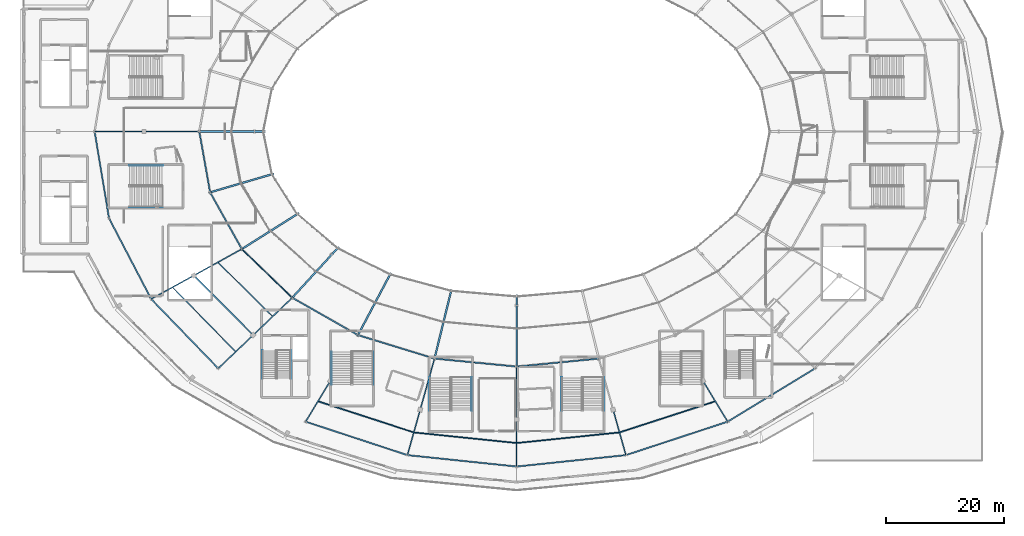
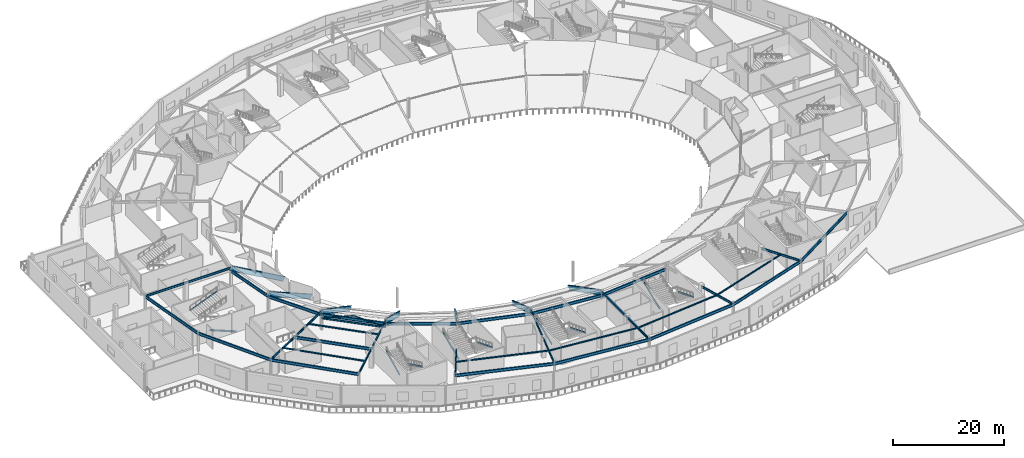
# One storey, part 13 of 63: 43 beams, 12 members.
"""IFC4 building model written with IfcOpenShell, lengths in metres."""

from ifc_helpers import new_model, si_unit, direction, frame, origin, origin_2d, place, context, subcontext, project, spatial, hollow_circle, i_section, extrude, material, material_profile, profile_set, type_object, element, save


model = new_model("IFC4")

# Units and contexts
model_context = context("Model", 3, precision=1e-05, world=origin(), true_north=direction((0.0, 1.0)))
body_context = subcontext(model_context, "Body", "Model", "MODEL_VIEW")
ifc_project = project(units=[si_unit("LENGTHUNIT", "METRE"), si_unit("AREAUNIT", "SQUARE_METRE"), si_unit("VOLUMEUNIT", "CUBIC_METRE"), si_unit("PLANEANGLEUNIT", "RADIAN"), si_unit("MASSUNIT", "GRAM", prefix="KILO")], contexts=[model_context])

# Site, building, storey
site_placement = place(None, origin())
site = spatial("IfcSite", under=ifc_project, at=site_placement, CompositionType="ELEMENT")
building_placement = place(site_placement, origin())
building = spatial("IfcBuilding", under=site, at=building_placement, Name="Kalgoora Escarpment Arena", CompositionType="ELEMENT")
storey_placement = place(building_placement, frame((0.0, 0.0, 14.39990234375)))
storey = spatial("IfcBuildingStorey", under=building, at=storey_placement, Name="L03", CompositionType="ELEMENT", Elevation=14.39990234375)

# Beams
ifc_material_1 = material(Name="Structural steel AS/NZS 3679 (300 MPa)", Category="steel")
ifc_material_profile_1 = material_profile(ifc_material_1, i_section(OverallWidth=0.1650390625, OverallDepth=0.303955078125, WebThickness=0.006103515625, FlangeThickness=0.01025390625, at=origin_2d()))
ifc_profile_set_1 = profile_set([ifc_material_profile_1], Name="Structural steel AS/NZS 3679 (300 MPa)")
beam_type_1 = type_object("IfcBeamType", Name="BM-BEAM-310UB40.4", PredefinedType="BEAM", material=ifc_profile_set_1)
beam_1_placement = place(storey_placement, frame((41.564208984375, 41.75, 4.048095703125), z_axis=(0.711375847759, -0.702811783641, 0.0), x_axis=(0.702811783641, 0.711375847759, 0.0)))
element("IfcBeam", 1, at=beam_1_placement, inside=storey, type_object=beam_type_1, Name="L03 Concourse secondary ring beam 310UB40.4", PredefinedType="BEAM", context=body_context, shape_type="SweptSolid", body=[
    extrude(i_section(OverallWidth=0.1650390625, OverallDepth=0.303955078125, WebThickness=0.006103515625, FlangeThickness=0.01025390625, at=origin_2d()), origin(), (0.0, 0.0, 1.0), 13.113525390625),
])
beam_2_placement = place(storey_placement, frame((33.856689453125, 37.5, 4.048095703125), z_axis=(0.699459765506, -0.71467197821, 0.0), x_axis=(0.71467197821, 0.699459765506, 0.0)))
element("IfcBeam", 2, at=beam_2_placement, inside=storey, type_object=beam_type_1, Name="L03 Concourse secondary ring beam 310UB40.4", PredefinedType="BEAM", context=body_context, shape_type="SweptSolid", body=[
    extrude(i_section(OverallWidth=0.1650390625, OverallDepth=0.303955078125, WebThickness=0.006103515625, FlangeThickness=0.01025390625, at=origin_2d()), origin(), (0.0, 0.0, 1.0), 15.35888671875),
])
beam_3_placement = place(storey_placement, frame((58.60009765625, 18.1005859375, 4.048095703125), z_axis=(0.951103123122, -0.308873516489, 0.0), x_axis=(0.308873516489, 0.951103123122, 0.0)))
element("IfcBeam", 3, at=beam_3_placement, inside=storey, type_object=beam_type_1, Name="L03 Concourse secondary ring beam 310UB40.4", PredefinedType="BEAM", context=body_context, shape_type="SweptSolid", body=[
    extrude(i_section(OverallWidth=0.1650390625, OverallDepth=0.303955078125, WebThickness=0.006103515625, FlangeThickness=0.01025390625, at=origin_2d()), origin(), (0.0, 0.0, 1.0), 17.141845703125),
])
beam_4_placement = place(storey_placement, frame((74.90380859375, 12.805908203125, 4.028076171875), z_axis=(0.994715233773, -0.102672312238, 0.0), x_axis=(0.102672312238, 0.994715233773, 0.0)))
element("IfcBeam", 4, at=beam_4_placement, inside=storey, type_object=beam_type_1, Name="L03 Concourse secondary ring beam 310UB40.4", PredefinedType="BEAM", context=body_context, shape_type="SweptSolid", body=[
    extrude(i_section(OverallWidth=0.1650390625, OverallDepth=0.303955078125, WebThickness=0.006103515625, FlangeThickness=0.01025390625, at=origin_2d()), origin(), (0.0, 0.0, 1.0), 17.589111328125),
])
beam_5_placement = place(storey_placement, frame((92.39990234375, 11.0, 4.028076171875), z_axis=(0.99471538009, 0.10267089467, 0.0), x_axis=(-0.10267089467, 0.99471538009, 0.0)))
element("IfcBeam", 5, at=beam_5_placement, inside=storey, type_object=beam_type_1, Name="L03 Concourse secondary ring beam 310UB40.4", PredefinedType="BEAM", context=body_context, shape_type="SweptSolid", body=[
    extrude(i_section(OverallWidth=0.1650390625, OverallDepth=0.303955078125, WebThickness=0.006103515625, FlangeThickness=0.01025390625, at=origin_2d()), origin(), (0.0, 0.0, 1.0), 17.58935546875),
])
beam_6_placement = place(storey_placement, frame((109.896240234375, 12.805908203125, 4.028076171875), z_axis=(0.951103123122, 0.308873516489, 0.0), x_axis=(-0.308873516489, 0.951103123122, 0.0)))
element("IfcBeam", 6, at=beam_6_placement, inside=storey, type_object=beam_type_1, Name="L03 Concourse secondary ring beam 310UB40.4", PredefinedType="BEAM", context=body_context, shape_type="SweptSolid", body=[
    extrude(i_section(OverallWidth=0.1650390625, OverallDepth=0.303955078125, WebThickness=0.006103515625, FlangeThickness=0.01025390625, at=origin_2d()), origin(), (0.0, 0.0, 1.0), 17.141845703125),
])
ifc_material_2 = material(Name="Structural steel AS/NZS 3679 (300 MPa)", Category="steel")
ifc_material_profile_2 = material_profile(ifc_material_2, i_section(OverallWidth=0.1708984375, OverallDepth=0.35205078125, WebThickness=0.0068359375, FlangeThickness=0.009765625, at=origin_2d()))
ifc_profile_set_2 = profile_set([ifc_material_profile_2], Name="Structural steel AS/NZS 3679 (300 MPa)")
beam_type_2 = type_object("IfcBeamType", Name="BM-BEAM-360UB44.7", PredefinedType="BEAM", material=ifc_profile_set_2)
beam_7_placement = place(storey_placement, frame((45.634521484375, 44.0, 2.524169921875), z_axis=(0.719471992915, -0.694521454968, 0.0), x_axis=(0.694521454968, 0.719471992915, 0.0)))
element("IfcBeam", 7, at=beam_7_placement, inside=storey, type_object=beam_type_2, Name="L03 Portal brace collector beam 360UB44.7", PredefinedType="BEAM", context=body_context, shape_type="SweptSolid", body=[
    extrude(i_section(OverallWidth=0.1708984375, OverallDepth=0.35205078125, WebThickness=0.0068359375, FlangeThickness=0.009765625, at=origin_2d()), origin(), (0.0, 0.0, 1.0), 11.927978515625),
])
ifc_material_3 = material(Name="Structural steel AS/NZS 3679 (300 MPa)", Category="steel")
ifc_material_profile_3 = material_profile(ifc_material_3, i_section(OverallWidth=0.19091796875, OverallDepth=0.4599609375, WebThickness=0.010009765625, FlangeThickness=0.01611328125, at=origin_2d()))
ifc_profile_set_3 = profile_set([ifc_material_profile_3], Name="Structural steel AS/NZS 3679 (300 MPa)")
beam_type_3 = type_object("IfcBeamType", Name="BM-GIRDER-460UB82.1", PredefinedType="USERDEFINED", material=ifc_profile_set_3)
beam_8_placement = place(storey_placement, frame((38.39990234375, 64.0, 3.960205078125), z_axis=(-1.0, 0.0, 0.0), x_axis=(0.0, -1.0, 0.0)))
element("IfcBeam", 8, at=beam_8_placement, inside=storey, type_object=beam_type_3, Name="L03 Radial concourse girder 460UB82.1", ObjectType="GIRDER", PredefinedType="USERDEFINED", context=body_context, shape_type="SweptSolid", body=[
    extrude(i_section(OverallWidth=0.19091796875, OverallDepth=0.4599609375, WebThickness=0.010009765625, FlangeThickness=0.01611328125, at=origin_2d()), origin(), (0.0, 0.0, 1.0), 9.39990234375),
])
beam_9_placement = place(storey_placement, frame((29.0, 64.0, 3.960205078125), z_axis=(-1.0, 0.0, 0.0), x_axis=(0.0, -1.0, 0.0)))
element("IfcBeam", 9, at=beam_9_placement, inside=storey, type_object=beam_type_3, Name="L03 Radial concourse girder 460UB82.1", ObjectType="GIRDER", PredefinedType="USERDEFINED", context=body_context, shape_type="SweptSolid", body=[
    extrude(i_section(OverallWidth=0.19091796875, OverallDepth=0.4599609375, WebThickness=0.010009765625, FlangeThickness=0.01611328125, at=origin_2d()), origin(), (0.0, 0.0, 1.0), 8.39990234375),
])
beam_10_placement = place(storey_placement, frame((45.634521484375, 44.0, 3.97021484375), z_axis=(-0.875185387072, -0.483787699571, 0.0), x_axis=(0.483787699571, -0.875185387072, 0.0)))
element("IfcBeam", 10, at=beam_10_placement, inside=storey, type_object=beam_type_3, Name="L03 Radial concourse girder 460UB82.1", ObjectType="GIRDER", PredefinedType="USERDEFINED", context=body_context, shape_type="SweptSolid", body=[
    extrude(i_section(OverallWidth=0.19091796875, OverallDepth=0.4599609375, WebThickness=0.010009765625, FlangeThickness=0.01611328125, at=origin_2d()), origin(), (0.0, 0.0, 1.0), 9.301513671875),
])
beam_11_placement = place(storey_placement, frame((37.493896484375, 39.5, 3.97021484375), z_axis=(-0.876263093947, -0.481832948424, 0.0), x_axis=(0.481832948424, -0.876263093947, 0.0)))
element("IfcBeam", 11, at=beam_11_placement, inside=storey, type_object=beam_type_3, Name="L03 Radial concourse girder 460UB82.1", ObjectType="GIRDER", PredefinedType="USERDEFINED", context=body_context, shape_type="SweptSolid", body=[
    extrude(i_section(OverallWidth=0.19091796875, OverallDepth=0.4599609375, WebThickness=0.010009765625, FlangeThickness=0.01611328125, at=origin_2d()), origin(), (0.0, 0.0, 1.0), 8.301513671875),
])
beam_12_placement = place(storey_placement, frame((54.21630859375, 35.7158203125, 3.97021484375), z_axis=(-0.722313931554, -0.691565314546, 0.0), x_axis=(0.691565314546, -0.722313931554, 0.0)))
element("IfcBeam", 12, at=beam_12_placement, inside=storey, type_object=beam_type_3, Name="L03 Radial concourse girder 460UB82.1", ObjectType="GIRDER", PredefinedType="USERDEFINED", context=body_context, shape_type="SweptSolid", body=[
    extrude(i_section(OverallWidth=0.19091796875, OverallDepth=0.4599609375, WebThickness=0.010009765625, FlangeThickness=0.01611328125, at=origin_2d()), origin(), (0.0, 0.0, 1.0), 9.202392578125),
])
beam_13_placement = place(storey_placement, frame((47.5693359375, 29.351806640625, 3.97021484375), z_axis=(-0.724130144905, -0.689663347757, 0.0), x_axis=(0.689663347757, -0.724130144905, 0.0)))
element("IfcBeam", 13, at=beam_13_placement, inside=storey, type_object=beam_type_3, Name="L03 Radial concourse girder 460UB82.1", ObjectType="GIRDER", PredefinedType="USERDEFINED", context=body_context, shape_type="SweptSolid", body=[
    extrude(i_section(OverallWidth=0.19091796875, OverallDepth=0.4599609375, WebThickness=0.010009765625, FlangeThickness=0.01611328125, at=origin_2d()), origin(), (0.0, 0.0, 1.0), 8.20263671875),
])
beam_14_placement = place(storey_placement, frame((60.699951171875, 21.564697265625, 3.97021484375), z_axis=(-0.518407902139, -0.85513346736, 0.0), x_axis=(0.85513346736, -0.518407902139, 0.0)))
element("IfcBeam", 14, at=beam_14_placement, inside=storey, type_object=beam_type_3, Name="L03 Radial concourse girder 460UB82.1", ObjectType="GIRDER", PredefinedType="USERDEFINED", context=body_context, shape_type="SweptSolid", body=[
    extrude(i_section(OverallWidth=0.19091796875, OverallDepth=0.4599609375, WebThickness=0.010009765625, FlangeThickness=0.01611328125, at=origin_2d()), origin(), (0.0, 0.0, 1.0), 8.1015625),
])
beam_15_placement = place(storey_placement, frame((78.423828125, 25.363037109375, 3.97021484375), z_axis=(-0.269498512386, -0.963000805722, 0.0), x_axis=(0.963000805722, -0.269498512386, 0.0)))
element("IfcBeam", 15, at=beam_15_placement, inside=storey, type_object=beam_type_3, Name="L03 Radial concourse girder 460UB82.1", ObjectType="GIRDER", PredefinedType="USERDEFINED", context=body_context, shape_type="SweptSolid", body=[
    extrude(i_section(OverallWidth=0.19091796875, OverallDepth=0.4599609375, WebThickness=0.010009765625, FlangeThickness=0.01611328125, at=origin_2d()), origin(), (0.0, 0.0, 1.0), 9.02734375),
])
beam_16_placement = place(storey_placement, frame((75.990966796875, 16.669677734375, 3.97021484375), z_axis=(-0.27082660355, -0.962628147734, 0.0), x_axis=(0.962628147734, -0.27082660355, 0.0)))
element("IfcBeam", 16, at=beam_16_placement, inside=storey, type_object=beam_type_3, Name="L03 Radial concourse girder 460UB82.1", ObjectType="GIRDER", PredefinedType="USERDEFINED", context=body_context, shape_type="SweptSolid", body=[
    extrude(i_section(OverallWidth=0.19091796875, OverallDepth=0.4599609375, WebThickness=0.010009765625, FlangeThickness=0.01611328125, at=origin_2d()), origin(), (0.0, 0.0, 1.0), 8.027587890625),
])
beam_17_placement = place(storey_placement, frame((92.39990234375, 24.0, 3.9501953125), z_axis=(0.0, -1.0, 0.0), x_axis=(1.0, 0.0, 0.0)))
element("IfcBeam", 17, at=beam_17_placement, inside=storey, type_object=beam_type_3, Name="L03 Radial concourse girder 460UB82.1", ObjectType="GIRDER", PredefinedType="USERDEFINED", context=body_context, shape_type="SweptSolid", body=[
    extrude(i_section(OverallWidth=0.19091796875, OverallDepth=0.4599609375, WebThickness=0.010009765625, FlangeThickness=0.01611328125, at=origin_2d()), origin(), (0.0, 0.0, 1.0), 9.0),
])
beam_18_placement = place(storey_placement, frame((92.39990234375, 15.0, 3.9501953125), z_axis=(0.0, -1.0, 0.0), x_axis=(1.0, 0.0, 0.0)))
element("IfcBeam", 18, at=beam_18_placement, inside=storey, type_object=beam_type_3, Name="L03 Radial concourse girder 460UB82.1", ObjectType="GIRDER", PredefinedType="USERDEFINED", context=body_context, shape_type="SweptSolid", body=[
    extrude(i_section(OverallWidth=0.19091796875, OverallDepth=0.4599609375, WebThickness=0.010009765625, FlangeThickness=0.01611328125, at=origin_2d()), origin(), (0.0, 0.0, 1.0), 8.0),
])
beam_19_placement = place(storey_placement, frame((108.80908203125, 16.669677734375, 3.9501953125), z_axis=(0.27082660355, -0.962628147734, 0.0), x_axis=(0.962628147734, 0.27082660355, 0.0)))
element("IfcBeam", 19, at=beam_19_placement, inside=storey, type_object=beam_type_3, Name="L03 Radial concourse girder 460UB82.1", ObjectType="GIRDER", PredefinedType="USERDEFINED", context=body_context, shape_type="SweptSolid", body=[
    extrude(i_section(OverallWidth=0.19091796875, OverallDepth=0.4599609375, WebThickness=0.010009765625, FlangeThickness=0.01611328125, at=origin_2d()), origin(), (0.0, 0.0, 1.0), 8.027587890625),
])
beam_20_placement = place(storey_placement, frame((124.10009765625, 21.564697265625, 3.9501953125), z_axis=(0.518407902139, -0.85513346736, 0.0), x_axis=(0.85513346736, 0.518407902139, 0.0)))
element("IfcBeam", 20, at=beam_20_placement, inside=storey, type_object=beam_type_3, Name="L03 Radial concourse girder 460UB82.1", ObjectType="GIRDER", PredefinedType="USERDEFINED", context=body_context, shape_type="SweptSolid", body=[
    extrude(i_section(OverallWidth=0.19091796875, OverallDepth=0.4599609375, WebThickness=0.010009765625, FlangeThickness=0.01611328125, at=origin_2d()), origin(), (0.0, 0.0, 1.0), 8.1015625),
])
ifc_material_4 = material(Name="Structural steel AS/NZS 3679 (300 MPa)", Category="steel")
ifc_material_profile_4 = material_profile(ifc_material_4, i_section(OverallWidth=0.22900390625, OverallDepth=0.612060546875, WebThickness=0.011962890625, FlangeThickness=0.01953125, at=origin_2d()))
ifc_profile_set_4 = profile_set([ifc_material_profile_4], Name="Structural steel AS/NZS 3679 (300 MPa)")
beam_type_4 = type_object("IfcBeamType", Name="BM-GIRDER-610UB125", PredefinedType="USERDEFINED", material=ifc_profile_set_4)
beam_21_placement = place(storey_placement, frame((37.493896484375, 39.5, 3.89404296875), z_axis=(0.704558426859, -0.709645984377, 0.0), x_axis=(0.709645984377, 0.704558426859, 0.0)))
element("IfcBeam", 21, at=beam_21_placement, inside=storey, type_object=beam_type_4, Name="L03 Circumferential concourse girder RCONC1 610UB125", ObjectType="GIRDER", PredefinedType="USERDEFINED", context=body_context, shape_type="SweptSolid", body=[
    extrude(i_section(OverallWidth=0.22900390625, OverallDepth=0.612060546875, WebThickness=0.011962890625, FlangeThickness=0.01953125, at=origin_2d()), origin(), (0.0, 0.0, 1.0), 14.30029296875),
])
beam_22_placement = place(storey_placement, frame((38.39990234375, 64.0, 3.274169921875), z_axis=(0.174995823084, -0.984569175784, 0.0), x_axis=(0.984569175784, 0.174995823084, 0.0)))
element("IfcBeam", 22, at=beam_22_placement, inside=storey, type_object=beam_type_4, Name="L03 Upper bowl raker collector ring girder 610UB125", ObjectType="GIRDER", PredefinedType="USERDEFINED", context=body_context, shape_type="SweptSolid", body=[
    extrude(i_section(OverallWidth=0.22900390625, OverallDepth=0.612060546875, WebThickness=0.011962890625, FlangeThickness=0.01953125, at=origin_2d()), origin(), (0.0, 0.0, 1.0), 10.51513671875),
])
beam_23_placement = place(storey_placement, frame((40.239990234375, 53.647216796875, 3.274169921875), z_axis=(0.488058469962, -0.872810935941, 0.0), x_axis=(0.872810935941, 0.488058469962, 0.0)))
element("IfcBeam", 23, at=beam_23_placement, inside=storey, type_object=beam_type_4, Name="L03 Upper bowl raker collector ring girder 610UB125", ObjectType="GIRDER", PredefinedType="USERDEFINED", context=body_context, shape_type="SweptSolid", body=[
    extrude(i_section(OverallWidth=0.22900390625, OverallDepth=0.612060546875, WebThickness=0.011962890625, FlangeThickness=0.01953125, at=origin_2d()), origin(), (0.0, 0.0, 1.0), 11.052978515625),
])
beam_24_placement = place(storey_placement, frame((45.634521484375, 44.0, 3.274169921875), z_axis=(0.719471992915, -0.694521454968, 0.0), x_axis=(0.694521454968, 0.719471992915, 0.0)))
element("IfcBeam", 24, at=beam_24_placement, inside=storey, type_object=beam_type_4, Name="L03 Upper bowl raker collector ring girder 610UB125", ObjectType="GIRDER", PredefinedType="USERDEFINED", context=body_context, shape_type="SweptSolid", body=[
    extrude(i_section(OverallWidth=0.22900390625, OverallDepth=0.612060546875, WebThickness=0.011962890625, FlangeThickness=0.01953125, at=origin_2d()), origin(), (0.0, 0.0, 1.0), 11.927978515625),
])
beam_25_placement = place(storey_placement, frame((54.21630859375, 35.7158203125, 3.274169921875), z_axis=(0.869369098708, -0.494163303182, 0.0), x_axis=(0.494163303182, 0.869369098708, 0.0)))
element("IfcBeam", 25, at=beam_25_placement, inside=storey, type_object=beam_type_4, Name="L03 Upper bowl raker collector ring girder 610UB125", ObjectType="GIRDER", PredefinedType="USERDEFINED", context=body_context, shape_type="SweptSolid", body=[
    extrude(i_section(OverallWidth=0.22900390625, OverallDepth=0.612060546875, WebThickness=0.011962890625, FlangeThickness=0.01953125, at=origin_2d()), origin(), (0.0, 0.0, 1.0), 12.864013671875),
])
beam_26_placement = place(storey_placement, frame((65.39990234375, 29.35888671875, 3.274169921875), z_axis=(0.956016223512, -0.293313791666, 0.0), x_axis=(0.293313791666, 0.956016223512, 0.0)))
element("IfcBeam", 26, at=beam_26_placement, inside=storey, type_object=beam_type_4, Name="L03 Upper bowl raker collector ring girder 610UB125", ObjectType="GIRDER", PredefinedType="USERDEFINED", context=body_context, shape_type="SweptSolid", body=[
    extrude(i_section(OverallWidth=0.22900390625, OverallDepth=0.612060546875, WebThickness=0.011962890625, FlangeThickness=0.01953125, at=origin_2d()), origin(), (0.0, 0.0, 1.0), 13.623046875),
])
beam_27_placement = place(storey_placement, frame((78.423828125, 25.363037109375, 3.274169921875), z_axis=(0.995277952766, -0.097065940158, 0.0), x_axis=(0.097065940158, 0.995277952766, 0.0)))
element("IfcBeam", 27, at=beam_27_placement, inside=storey, type_object=beam_type_4, Name="L03 Upper bowl raker collector ring girder 610UB125", ObjectType="GIRDER", PredefinedType="USERDEFINED", context=body_context, shape_type="SweptSolid", body=[
    extrude(i_section(OverallWidth=0.22900390625, OverallDepth=0.612060546875, WebThickness=0.011962890625, FlangeThickness=0.01953125, at=origin_2d()), origin(), (0.0, 0.0, 1.0), 14.04248046875),
])
beam_28_placement = place(storey_placement, frame((92.39990234375, 24.0, 3.274169921875), z_axis=(0.995278116569, 0.097064260569, 0.0), x_axis=(-0.097064260569, 0.995278116569, 0.0)))
element("IfcBeam", 28, at=beam_28_placement, inside=storey, type_object=beam_type_4, Name="L03 Upper bowl raker collector ring girder 610UB125", ObjectType="GIRDER", PredefinedType="USERDEFINED", context=body_context, shape_type="SweptSolid", body=[
    extrude(i_section(OverallWidth=0.22900390625, OverallDepth=0.612060546875, WebThickness=0.011962890625, FlangeThickness=0.01953125, at=origin_2d()), origin(), (0.0, 0.0, 1.0), 14.042724609375),
])
ifc_material_5 = material(Name="Structural steel Grade 350 (350 MPa)", Category="steel")
ifc_material_profile_5 = material_profile(ifc_material_5, i_section(OverallWidth=0.300048828125, OverallDepth=1.010009765625, WebThickness=0.01611328125, FlangeThickness=0.030029296875, at=origin_2d()))
ifc_profile_set_5 = profile_set([ifc_material_profile_5], Name="Structural steel Grade 350 (350 MPa)")
beam_type_5 = type_object("IfcBeamType", Name="BM-RAKER-UPP", PredefinedType="USERDEFINED", material=ifc_profile_set_5)
beam_29_placement = place(storey_placement, frame((49.39990234375, 64.0, -2.2998046875), z_axis=(-0.872847381688, 0.0, 0.487993287126), x_axis=(0.0, -1.0, 0.0)))
element("IfcBeam", 29, at=beam_29_placement, inside=storey, type_object=beam_type_5, Name="Upper bowl cantilevered RAKER girder R13", ObjectType="GIRDER", PredefinedType="USERDEFINED", context=body_context, shape_type="SweptSolid", body=[
    extrude(i_section(OverallWidth=0.300048828125, OverallDepth=1.010009765625, WebThickness=0.01611328125, FlangeThickness=0.030029296875, at=origin_2d()), origin(), (0.0, 0.0, 1.0), 12.6025390625),
])
beam_30_placement = place(storey_placement, frame((50.865234375, 56.753173828125, -2.2998046875), z_axis=(-0.839045220709, -0.24526856685, 0.485640245161), x_axis=(0.280576682098, -0.959831613078, 0.0)))
element("IfcBeam", 30, at=beam_30_placement, inside=storey, type_object=beam_type_5, Name="Upper bowl cantilevered RAKER girder R14", ObjectType="GIRDER", PredefinedType="USERDEFINED", context=body_context, shape_type="SweptSolid", body=[
    extrude(i_section(OverallWidth=0.300048828125, OverallDepth=1.010009765625, WebThickness=0.01611328125, FlangeThickness=0.030029296875, at=origin_2d()), origin(), (0.0, 0.0, 1.0), 12.66357421875),
])
beam_31_placement = place(storey_placement, frame((55.160888671875, 50.0, -2.2998046875), z_axis=(-0.742588232518, -0.467704982121, 0.479389994289), x_axis=(0.532935195412, -0.846156059773, 0.0)))
element("IfcBeam", 31, at=beam_31_placement, inside=storey, type_object=beam_type_5, Name="Upper bowl cantilevered RAKER girder R15", ObjectType="GIRDER", PredefinedType="USERDEFINED", context=body_context, shape_type="SweptSolid", body=[
    extrude(i_section(OverallWidth=0.300048828125, OverallDepth=1.010009765625, WebThickness=0.01611328125, FlangeThickness=0.030029296875, at=origin_2d()), origin(), (0.0, 0.0, 1.0), 12.82861328125),
])
beam_32_placement = place(storey_placement, frame((61.994384765625, 44.200927734375, -2.2998046875), z_axis=(-0.59599611322, -0.650172476066, 0.471237078754), x_axis=(0.737151498957, -0.675727509863, 0.0)))
element("IfcBeam", 32, at=beam_32_placement, inside=storey, type_object=beam_type_5, Name="Upper bowl cantilevered RAKER girder R16", ObjectType="GIRDER", PredefinedType="USERDEFINED", context=body_context, shape_type="SweptSolid", body=[
    extrude(i_section(OverallWidth=0.300048828125, OverallDepth=1.010009765625, WebThickness=0.01611328125, FlangeThickness=0.030029296875, at=origin_2d()), origin(), (0.0, 0.0, 1.0), 13.050537109375),
])
beam_33_placement = place(storey_placement, frame((70.89990234375, 39.751220703125, -2.2998046875), z_axis=(-0.41449343717, -0.7831916788, 0.463471665586), x_axis=(0.883852051303, -0.467766556529, 0.0)))
element("IfcBeam", 33, at=beam_33_placement, inside=storey, type_object=beam_type_5, Name="Upper bowl cantilevered RAKER girder R17", ObjectType="GIRDER", PredefinedType="USERDEFINED", context=body_context, shape_type="SweptSolid", body=[
    extrude(i_section(OverallWidth=0.300048828125, OverallDepth=1.010009765625, WebThickness=0.01611328125, FlangeThickness=0.030029296875, at=origin_2d()), origin(), (0.0, 0.0, 1.0), 13.269287109375),
])
beam_34_placement = place(storey_placement, frame((81.270751953125, 36.9541015625, -2.2998046875), z_axis=(-0.21203288269, -0.863278035459, 0.458031756708), x_axis=(0.971136505393, -0.238524396853, 0.0)))
element("IfcBeam", 34, at=beam_34_placement, inside=storey, type_object=beam_type_5, Name="Upper bowl cantilevered RAKER girder R18", ObjectType="GIRDER", PredefinedType="USERDEFINED", context=body_context, shape_type="SweptSolid", body=[
    extrude(i_section(OverallWidth=0.300048828125, OverallDepth=1.010009765625, WebThickness=0.01611328125, FlangeThickness=0.030029296875, at=origin_2d()), origin(), (0.0, 0.0, 1.0), 13.4267578125),
])
beam_35_placement = place(storey_placement, frame((92.39990234375, 36.0, -2.2998046875), z_axis=(0.0, -0.889936190126, 0.45608505512), x_axis=(1.0, 0.0, 0.0)))
element("IfcBeam", 35, at=beam_35_placement, inside=storey, type_object=beam_type_5, Name="Upper bowl cantilevered RAKER girder R19", ObjectType="GIRDER", PredefinedType="USERDEFINED", context=body_context, shape_type="SweptSolid", body=[
    extrude(i_section(OverallWidth=0.300048828125, OverallDepth=1.010009765625, WebThickness=0.01611328125, FlangeThickness=0.030029296875, at=origin_2d()), origin(), (0.0, 0.0, 1.0), 13.484130859375),
])
ifc_material_6 = material(Name="Structural steel AS/NZS 3679 (300 MPa)", Category="steel")
ifc_material_profile_6 = material_profile(ifc_material_6, i_section(OverallWidth=0.22900390625, OverallDepth=0.612060546875, WebThickness=0.011962890625, FlangeThickness=0.01953125, at=origin_2d()))
ifc_profile_set_6 = profile_set([ifc_material_profile_6], Name="Structural steel AS/NZS 3679 (300 MPa)")
beam_type_6 = type_object("IfcBeamType", Name="BM-SPANDREL-610UB125", PredefinedType="SPANDREL", material=ifc_profile_set_6)
beam_36_placement = place(storey_placement, frame((20.60009765625, 64.0, 3.884033203125), z_axis=(0.163586163215, -0.98652905036, 0.0), x_axis=(0.98652905036, 0.163586163215, 0.0)))
element("IfcBeam", 36, at=beam_36_placement, inside=storey, type_object=beam_type_6, Name="L03 Circumferential concourse girder RCONC2 610UB125", PredefinedType="SPANDREL", context=body_context, shape_type="SweptSolid", body=[
    extrude(i_section(OverallWidth=0.22900390625, OverallDepth=0.612060546875, WebThickness=0.011962890625, FlangeThickness=0.01953125, at=origin_2d()), origin(), (0.0, 0.0, 1.0), 14.9541015625),
])
beam_37_placement = place(storey_placement, frame((23.04638671875, 49.247314453125, 3.89404296875), z_axis=(0.462595600895, -0.886569405085, 0.0), x_axis=(0.886569405085, 0.462595600895, 0.0)))
element("IfcBeam", 37, at=beam_37_placement, inside=storey, type_object=beam_type_6, Name="L03 Circumferential concourse girder RCONC2 610UB125", PredefinedType="SPANDREL", context=body_context, shape_type="SweptSolid", body=[
    extrude(i_section(OverallWidth=0.22900390625, OverallDepth=0.612060546875, WebThickness=0.011962890625, FlangeThickness=0.01953125, at=origin_2d()), origin(), (0.0, 0.0, 1.0), 15.506103515625),
])
beam_38_placement = place(storey_placement, frame((30.219482421875, 35.5, 3.89404296875), z_axis=(0.694974435465, -0.719034445663, 0.0), x_axis=(0.719034445663, 0.694974435465, 0.0)))
element("IfcBeam", 38, at=beam_38_placement, inside=storey, type_object=beam_type_6, Name="L03 Circumferential concourse girder RCONC2 610UB125", PredefinedType="SPANDREL", context=body_context, shape_type="SweptSolid", body=[
    extrude(i_section(OverallWidth=0.22900390625, OverallDepth=0.612060546875, WebThickness=0.011962890625, FlangeThickness=0.01953125, at=origin_2d()), origin(), (0.0, 0.0, 1.0), 16.418212890625),
])
beam_39_placement = place(storey_placement, frame((56.5, 14.63671875, 3.89404296875), z_axis=(0.949954555117, -0.312388129115, 0.0), x_axis=(0.312388129115, 0.949954555117, 0.0)))
element("IfcBeam", 39, at=beam_39_placement, inside=storey, type_object=beam_type_6, Name="L03 Circumferential concourse girder RCONC2 610UB125", PredefinedType="SPANDREL", context=body_context, shape_type="SweptSolid", body=[
    extrude(i_section(OverallWidth=0.22900390625, OverallDepth=0.612060546875, WebThickness=0.011962890625, FlangeThickness=0.01953125, at=origin_2d()), origin(), (0.0, 0.0, 1.0), 18.229248046875),
])
beam_40_placement = place(storey_placement, frame((73.81689453125, 8.942138671875, 3.8740234375), z_axis=(0.994583005347, -0.103945396599, 0.0), x_axis=(0.103945396599, 0.994583005347, 0.0)))
element("IfcBeam", 40, at=beam_40_placement, inside=storey, type_object=beam_type_6, Name="L03 Circumferential concourse girder RCONC2 610UB125", PredefinedType="SPANDREL", context=body_context, shape_type="SweptSolid", body=[
    extrude(i_section(OverallWidth=0.22900390625, OverallDepth=0.612060546875, WebThickness=0.011962890625, FlangeThickness=0.01953125, at=origin_2d()), origin(), (0.0, 0.0, 1.0), 18.684326171875),
])
beam_41_placement = place(storey_placement, frame((92.39990234375, 7.0, 3.8740234375), z_axis=(0.994583146525, 0.103944045753, 0.0), x_axis=(-0.103944045753, 0.994583146525, 0.0)))
element("IfcBeam", 41, at=beam_41_placement, inside=storey, type_object=beam_type_6, Name="L03 Circumferential concourse girder RCONC2 610UB125", PredefinedType="SPANDREL", context=body_context, shape_type="SweptSolid", body=[
    extrude(i_section(OverallWidth=0.22900390625, OverallDepth=0.612060546875, WebThickness=0.011962890625, FlangeThickness=0.01953125, at=origin_2d()), origin(), (0.0, 0.0, 1.0), 18.6845703125),
])
beam_42_placement = place(storey_placement, frame((110.983154296875, 8.942138671875, 3.8740234375), z_axis=(0.949954555117, 0.312388129115, 0.0), x_axis=(-0.312388129115, 0.949954555117, 0.0)))
element("IfcBeam", 42, at=beam_42_placement, inside=storey, type_object=beam_type_6, Name="L03 Circumferential concourse girder RCONC2 610UB125", PredefinedType="SPANDREL", context=body_context, shape_type="SweptSolid", body=[
    extrude(i_section(OverallWidth=0.22900390625, OverallDepth=0.612060546875, WebThickness=0.011962890625, FlangeThickness=0.01953125, at=origin_2d()), origin(), (0.0, 0.0, 1.0), 18.229248046875),
])
beam_43_placement = place(storey_placement, frame((128.300048828125, 14.63671875, 3.8740234375), z_axis=(0.854030640858, 0.520222706613, 0.0), x_axis=(-0.520222706613, 0.854030640858, 0.0)))
element("IfcBeam", 43, at=beam_43_placement, inside=storey, type_object=beam_type_6, Name="L03 Circumferential concourse girder RCONC2 610UB125", PredefinedType="SPANDREL", context=body_context, shape_type="SweptSolid", body=[
    extrude(i_section(OverallWidth=0.22900390625, OverallDepth=0.612060546875, WebThickness=0.011962890625, FlangeThickness=0.01953125, at=origin_2d()), origin(), (0.0, 0.0, 1.0), 17.411865234375),
])

# Members
ifc_material_7 = material(Name="Structural steel C350 (350 MPa)", Category="steel")
ifc_material_profile_7 = material_profile(ifc_material_7, hollow_circle(Radius=0.109619140625, WallThickness=0.00830078125, at=origin_2d()))
ifc_profile_set_7 = profile_set([ifc_material_profile_7], Name="Structural steel C350 (350 MPa)")
member_type_1 = type_object("IfcMemberType", Name="MEM-BRACE-CHS219", PredefinedType="BRACE", material=ifc_profile_set_7)
member_1_placement = place(storey_placement, frame((45.634521484375, 44.0, 2.52001953125), z_axis=(0.696893494727, -0.672745094255, 0.248502505346), x_axis=(0.694531682696, 0.719462119733, 0.0)))
element("IfcMember", 44, at=member_1_placement, inside=storey, type_object=member_type_1, Name="L03 concentric lateral brace R15-1", PredefinedType="BRACE", context=body_context, shape_type="SweptSolid", body=[
    extrude(hollow_circle(Radius=0.109619140625, WallThickness=0.00830078125, at=origin_2d()), origin(), (0.0, 0.0, 1.0), 6.156982421875),
])
member_2_placement = place(storey_placement, frame((54.21630859375, 35.7158203125, 2.52001953125), z_axis=(-0.69691388875, 0.672726504127, 0.248495638416), x_axis=(-0.694511227401, -0.71948186566, 0.0)))
element("IfcMember", 45, at=member_2_placement, inside=storey, type_object=member_type_1, Name="L03 concentric lateral brace R15-2", PredefinedType="BRACE", context=body_context, shape_type="SweptSolid", body=[
    extrude(hollow_circle(Radius=0.109619140625, WallThickness=0.00830078125, at=origin_2d()), origin(), (0.0, 0.0, 1.0), 6.1572265625),
])
ifc_material_8 = material(Name="Structural steel AS/NZS 3679 (300 MPa)", Category="steel")
ifc_material_profile_8 = material_profile(ifc_material_8, i_section(OverallWidth=0.090087890625, OverallDepth=0.300048828125, WebThickness=0.008056640625, FlangeThickness=0.01611328125, at=origin_2d()))
ifc_profile_set_8 = profile_set([ifc_material_profile_8], Name="Structural steel AS/NZS 3679 (300 MPa)")
member_type_2 = type_object("IfcMemberType", Name="MEM-STRINGER-PFC", PredefinedType="STRINGER", material=ifc_profile_set_8)
for number, where, z_axis, x_axis, name in (
    (46, (53.929931640625, 26.7099609375, -0.039794921875), (0.0, -0.902682652253, 0.430306901317), (1.0, 0.0, 0.0), "ST05 L03 steel stair stringer 1"),
    (47, (49.169921875, 21.989990234375, 2.210205078125), (0.0, 0.902682652253, 0.430306901317), (-1.0, 0.0, 0.0), "ST05 L03 steel stair stringer 2"),
):
    element("IfcMember", number, at=place(storey_placement, frame(where, z_axis=z_axis, x_axis=x_axis)), inside=storey, type_object=member_type_2, Name=name, PredefinedType="STRINGER", context=body_context, shape_type="SweptSolid", body=[
        extrude(i_section(OverallWidth=0.090087890625, OverallDepth=0.300048828125, WebThickness=0.008056640625, FlangeThickness=0.01611328125, at=origin_2d()), origin(), (0.0, 0.0, 1.0), 5.228759765625),
    ])
for number, where, z_axis, x_axis, name in (
    (48, (67.929931640625, 26.510009765625, -0.039794921875), (0.0, -0.926975796404, 0.375121144273), (1.0, 0.0, 0.0), "ST13 L03 steel stair stringer 1"),
    (49, (60.8701171875, 20.949951171875, 2.210205078125), (0.0, 0.926975796404, 0.375121144273), (-1.0, 0.0, 0.0), "ST13 L03 steel stair stringer 2"),
    (50, (84.72998046875, 22.110107421875, -0.039794921875), (0.0, -0.926975796404, 0.375121144273), (1.0, 0.0, 0.0), "ST14 L03 steel stair stringer 1"),
    (51, (77.669921875, 16.550048828125, 2.210205078125), (0.0, 0.926975796404, 0.375121144273), (-1.0, 0.0, 0.0), "ST14 L03 steel stair stringer 2"),
    (52, (107.1298828125, 22.110107421875, -0.039794921875), (0.0, -0.926975796404, 0.375121144273), (1.0, 0.0, 0.0), "ST15 L03 steel stair stringer 1"),
    (53, (100.070068359375, 16.550048828125, 2.210205078125), (0.0, 0.926975796404, 0.375121144273), (-1.0, 0.0, 0.0), "ST15 L03 steel stair stringer 2"),
    (54, (32.110107421875, 51.169921875, -0.039794921875), (-0.926975796404, 0.0, 0.375121144273), (0.0, -1.0, 0.0), "ST18 L03 steel stair stringer 1"),
    (55, (26.550048828125, 58.22998046875, 2.210205078125), (0.926975796404, 0.0, 0.375121144273), (0.0, 1.0, 0.0), "ST18 L03 steel stair stringer 2"),
):
    element("IfcMember", number, at=place(storey_placement, frame(where, z_axis=z_axis, x_axis=x_axis)), inside=storey, type_object=member_type_2, Name=name, PredefinedType="STRINGER", context=body_context, shape_type="SweptSolid", body=[
        extrude(i_section(OverallWidth=0.090087890625, OverallDepth=0.300048828125, WebThickness=0.008056640625, FlangeThickness=0.01611328125, at=origin_2d()), origin(), (0.0, 0.0, 1.0), 5.998046875),
    ])

save(model, "model.ifc")
